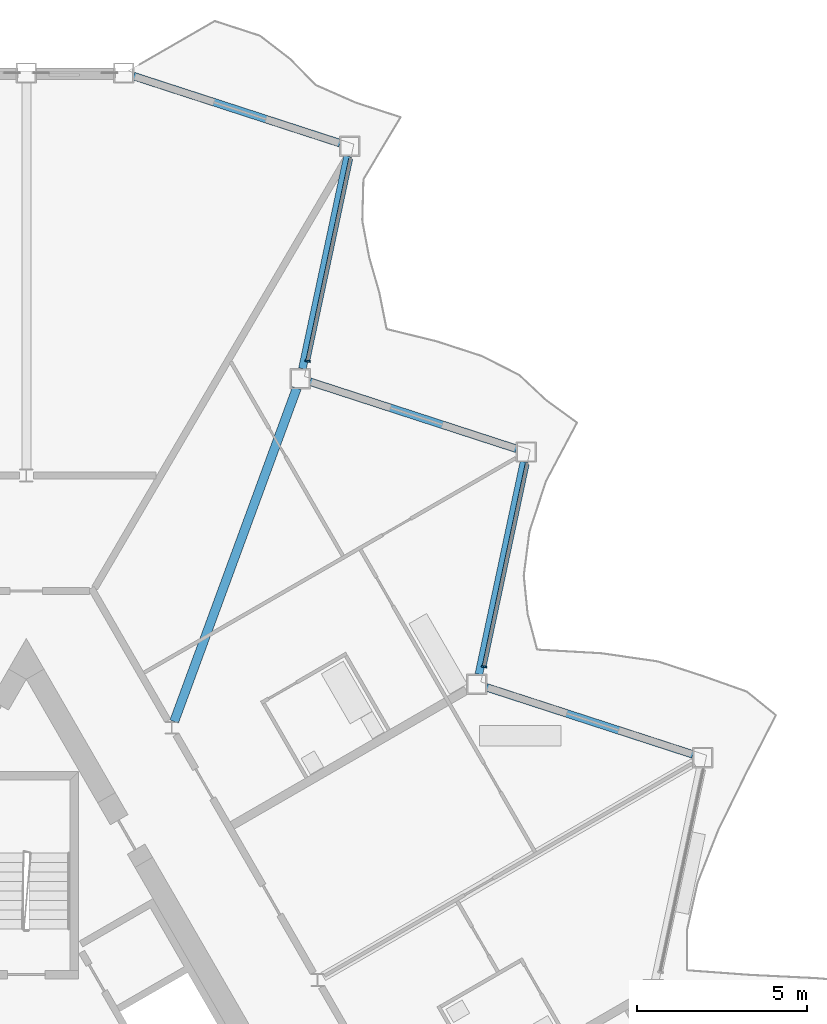
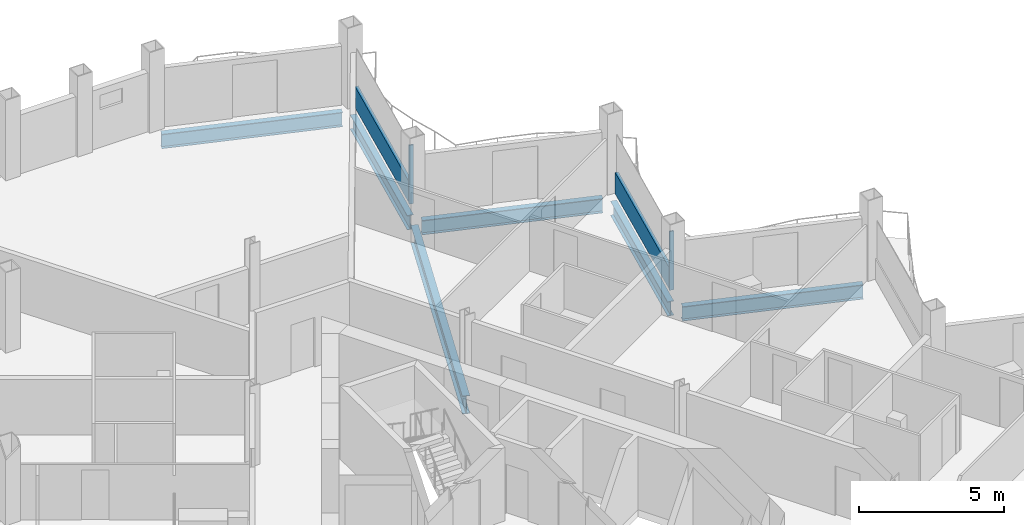
# One storey, part 10 of 26: 6 beams, 4 members, 2 elements without a shape of their own.
"""IFC4 building model written with IfcOpenShell, lengths in metres."""

from ifc_helpers import new_model, si_unit, direction, frame, origin, origin_2d, place, context, subcontext, project, spatial, rectangle, i_section, extrude, material, layer, layer_set, material_profile, profile_set, type_object, element, aggregate, save


model = new_model("IFC4")

# Units and contexts
model_context = context("Model", 3, precision=1e-05, world=origin(), true_north=direction((0.0, 1.0)))
body_context = subcontext(model_context, "Body", "Model", "MODEL_VIEW")
ifc_project = project(units=[si_unit("LENGTHUNIT", "METRE"), si_unit("AREAUNIT", "SQUARE_METRE"), si_unit("VOLUMEUNIT", "CUBIC_METRE"), si_unit("PLANEANGLEUNIT", "RADIAN"), si_unit("MASSUNIT", "GRAM", prefix="KILO")], contexts=[model_context])

# Site, building, storey
site_placement = place(None, origin())
site = spatial("IfcSite", under=ifc_project, at=site_placement, CompositionType="ELEMENT")
building_placement = place(site_placement, origin())
building = spatial("IfcBuilding", under=site, at=building_placement, Name="Cormorant Prow Tower", CompositionType="ELEMENT")
storey_placement = place(building_placement, frame((0.0, 0.0, 339.199951171875)))
storey = spatial("IfcBuildingStorey", under=building, at=storey_placement, Name="L76", CompositionType="ELEMENT", Elevation=339.199951171875)

# Beam
ifc_material_1 = material(Name="Structural steel ASTM A992 Gr 50", Category="steel")
ifc_material_profile_1 = material_profile(ifc_material_1, i_section(OverallWidth=0.267822265625, OverallDepth=0.77001953125, WebThickness=0.015625, FlangeThickness=0.025390625, at=origin_2d()), Name="W30x132")
ifc_profile_set_1 = profile_set([ifc_material_profile_1], Name="Structural steel ASTM A992 Gr 50")
beam_type_1 = type_object("IfcBeamType", Name="Radial floor beam W30x132", PredefinedType="BEAM", material=ifc_profile_set_1)
beam_1_placement = place(storey_placement, frame((4.357421875, 12.5673828125, -0.684814453125), z_axis=(0.345131226703, 0.938554439739, 0.0), x_axis=(-0.938554439739, 0.345131226703, 0.0)))
element("IfcBeam", 1, at=beam_1_placement, inside=storey, type_object=beam_type_1, Name="Radial floor beam FB3 12 L76", PredefinedType="BEAM", context=body_context, shape_type="SweptSolid", body=[
    extrude(i_section(OverallWidth=0.267822265625, OverallDepth=0.77001953125, WebThickness=0.015625, FlangeThickness=0.025390625, at=origin_2d()), origin(), (0.0, 0.0, 1.0), 10.465087890625),
])

# Curtain wall, member
ifc_material_2 = material(Name="Aluminium 6063-T6", Category="aluminium")
ifc_layer = layer(ifc_material_2, 0.159912109375)
ifc_layer_set = layer_set([ifc_layer], Name="Aluminium 6063-T6")
curtain_wall_type = type_object("IfcCurtainWallType", Name="Residential unitised curtain wall 160", PredefinedType="NOTDEFINED", material=ifc_layer_set)
curtain_wall_1_placement = place(storey_placement, origin())
curtain_wall_1 = element("IfcCurtainWall", 2, at=curtain_wall_1_placement, inside=storey, type_object=curtain_wall_type, Name="Residential curtain wall ENE06", PredefinedType="NOTDEFINED")
ifc_material_3 = material(Name="Aluminium 6063-T6", Category="aluminium")
ifc_material_profile_2 = material_profile(ifc_material_3, rectangle(XDim=0.159912109375, YDim=0.050048828125, at=origin_2d()), Name="Residential mullion 50x160")
ifc_profile_set_2 = profile_set([ifc_material_profile_2], Name="Aluminium 6063-T6")
member_type_1 = type_object("IfcMemberType", Name="Residential mullion 50x160", PredefinedType="MULLION", material=ifc_profile_set_2)
member_1_placement = place(storey_placement, frame((13.48828125, 14.182861328125, 0.0), z_axis=(0.0, 0.0, 1.0), x_axis=(-0.978147590428, 0.207911739302, 0.0)))
member_1 = element("IfcMember", 3, at=member_1_placement, type_object=member_type_1, Name="Residential mullion ENE06", PredefinedType="MULLION", context=body_context, shape_type="SweptSolid", body=[
    extrude(rectangle(XDim=0.159912109375, YDim=0.050048828125, at=origin_2d()), origin(), (0.0, 0.0, 1.0), 2.488037109375),
])

curtain_wall_2_placement = place(storey_placement, origin())
curtain_wall_2 = element("IfcCurtainWall", 4, at=curtain_wall_2_placement, inside=storey, type_object=curtain_wall_type, Name="Residential curtain wall ENE08", PredefinedType="NOTDEFINED")
member_2_placement = place(storey_placement, frame((8.290771484375, 23.185302734375, 0.0), z_axis=(0.0, 0.0, 1.0), x_axis=(-0.978147619505, 0.207911602505, 0.0)))
member_2 = element("IfcMember", 5, at=member_2_placement, type_object=member_type_1, Name="Residential mullion ENE08", PredefinedType="MULLION", context=body_context, shape_type="SweptSolid", body=[
    extrude(rectangle(XDim=0.159912109375, YDim=0.050048828125, at=origin_2d()), origin(), (0.0, 0.0, 1.0), 2.488037109375),
])

# Member
ifc_material_4 = material(Name="Terracotta", Category="masonry")
ifc_material_profile_3 = material_profile(ifc_material_4, rectangle(XDim=0.1201171875, YDim=0.89990234375, at=origin_2d()), Name="Residential terracotta spandrel rail 120x900")
ifc_profile_set_3 = profile_set([ifc_material_profile_3], Name="Terracotta")
member_type_2 = type_object("IfcMemberType", Name="Residential terracotta spandrel rail 120x900", PredefinedType="USERDEFINED", material=ifc_profile_set_3)
member_3_placement = place(storey_placement, frame((13.493408203125, 14.207275390625, 0.449951171875), z_axis=(0.207931798969, 0.978143326398, 0.0), x_axis=(-0.978143326398, 0.207931798969, 0.0)))
member_3 = element("IfcMember", 6, at=member_3_placement, type_object=member_type_2, Name="Residential spandrel rail ENE06", ObjectType="TRANSOM", PredefinedType="USERDEFINED", context=body_context, shape_type="SweptSolid", body=[
    extrude(rectangle(XDim=0.1201171875, YDim=0.89990234375, at=origin_2d()), origin(), (0.0, 0.0, 1.0), 6.076171875),
])

aggregate(curtain_wall_1, [member_1, member_3])

member_4_placement = place(storey_placement, frame((8.2958984375, 23.209716796875, 0.449951171875), z_axis=(0.207939971389, 0.978141589086, 0.0), x_axis=(-0.978141589086, 0.207939971389, 0.0)))
member_4 = element("IfcMember", 7, at=member_4_placement, type_object=member_type_2, Name="Residential spandrel rail ENE08", ObjectType="TRANSOM", PredefinedType="USERDEFINED", context=body_context, shape_type="SweptSolid", body=[
    extrude(rectangle(XDim=0.1201171875, YDim=0.89990234375, at=origin_2d()), origin(), (0.0, 0.0, 1.0), 6.075927734375),
])

aggregate(curtain_wall_2, [member_2, member_4])

# Beams
ifc_material_5 = material(Name="Structural steel ASTM A992 Gr 50", Category="steel")
ifc_material_profile_4 = material_profile(ifc_material_5, i_section(OverallWidth=0.22900390625, OverallDepth=0.612060546875, WebThickness=0.011962890625, FlangeThickness=0.01953125, at=origin_2d()), Name="W24x84")
ifc_profile_set_4 = profile_set([ifc_material_profile_4], Name="Structural steel ASTM A992 Gr 50")
beam_type_2 = type_object("IfcBeamType", Name="Spandrel beam W24x84", PredefinedType="SPANDREL", material=ifc_profile_set_4)
for number, where, z_axis, x_axis, name in (
    (8, (19.640380859375, 11.5966796875, -0.60595703125), (-0.95105314132, 0.309027381286, 0.0), (-0.309027381286, -0.95105314132, 0.0), "Spandrel beam SB3 ENE05-ENE06 L76"),
    (9, (13.334228515625, 13.95947265625, -0.60595703125), (0.207920386839, 0.978145752297, 0.0), (-0.978145752297, 0.207920386839, 0.0), "Spandrel beam SB3 ENE06-ENE07 L76"),
    (10, (14.441162109375, 20.601806640625, -0.60595703125), (-0.95105314132, 0.309027381286, 0.0), (-0.309027381286, -0.95105314132, 0.0), "Spandrel beam SB3 ENE07-ENE08 L76"),
):
    element("IfcBeam", number, at=place(storey_placement, frame(where, z_axis=z_axis, x_axis=x_axis)), inside=storey, type_object=beam_type_2, Name=name, PredefinedType="SPANDREL", context=body_context, shape_type="SweptSolid", body=[
        extrude(i_section(OverallWidth=0.22900390625, OverallDepth=0.612060546875, WebThickness=0.011962890625, FlangeThickness=0.01953125, at=origin_2d()), origin(), (0.0, 0.0, 1.0), 6.39599609375),
    ])
beam_2_placement = place(storey_placement, frame((8.13525390625, 22.96435546875, -0.60595703125), z_axis=(0.20791262393, 0.978147402394, 0.0), x_axis=(-0.978147402394, 0.20791262393, 0.0)))
element("IfcBeam", 11, at=beam_2_placement, inside=storey, type_object=beam_type_2, Name="Spandrel beam SB3 ENE08-ENE09 L76", PredefinedType="SPANDREL", context=body_context, shape_type="SweptSolid", body=[
    extrude(i_section(OverallWidth=0.22900390625, OverallDepth=0.612060546875, WebThickness=0.011962890625, FlangeThickness=0.01953125, at=origin_2d()), origin(), (0.0, 0.0, 1.0), 6.396240234375),
])
beam_3_placement = place(storey_placement, frame((9.2421875, 29.60693359375, -0.60595703125), z_axis=(-0.951064359156, 0.308992855489, 0.0), x_axis=(-0.308992855489, -0.951064359156, 0.0)))
element("IfcBeam", 12, at=beam_3_placement, inside=storey, type_object=beam_type_2, Name="Spandrel beam SB3 ENE09-N00 L76", PredefinedType="SPANDREL", context=body_context, shape_type="SweptSolid", body=[
    extrude(i_section(OverallWidth=0.22900390625, OverallDepth=0.612060546875, WebThickness=0.011962890625, FlangeThickness=0.01953125, at=origin_2d()), origin(), (0.0, 0.0, 1.0), 6.39599609375),
])

save(model, "model.ifc")
